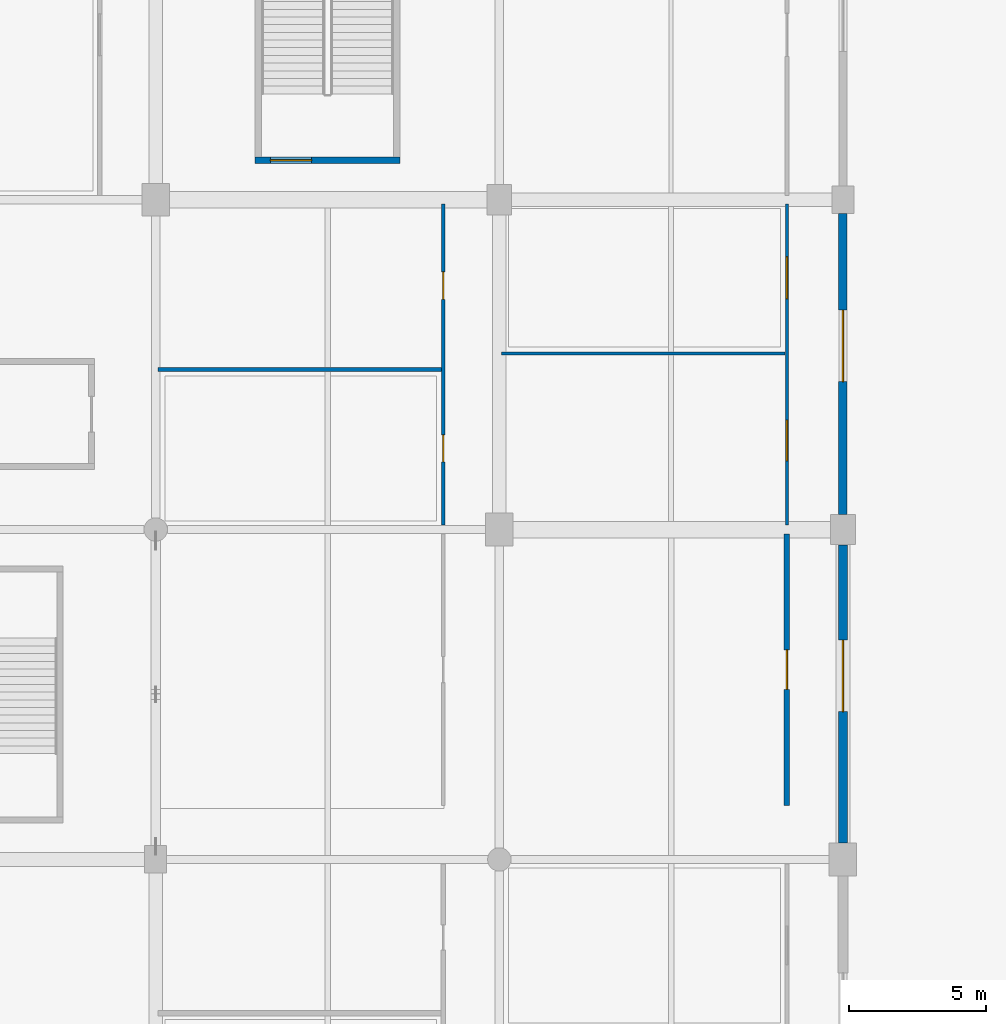
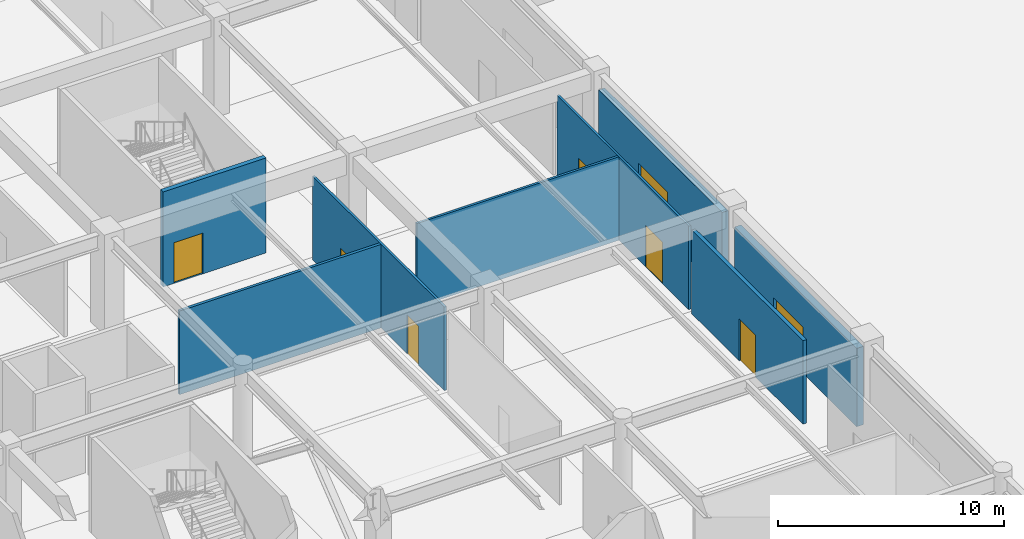
# One storey, part 21 of 69: 8 doors, 8 walls, 8 openings.
"""IFC4 building model written with IfcOpenShell, lengths in metres."""

import ifcopenshell
import ifcopenshell.guid

model = None  # the IFC model being written
_history = None  # IfcOwnerHistory: only IFC2X3 demands one
_inside = {}  # id of a spatial element -> (the spatial element, [elements in it])
_under = {}  # id of a project, library or spatial element -> (it, [spatial elements below it])
_declared = {}  # id of a project -> (the project, [libraries it declares])
_typed = {}  # id of a type object -> (the type object, [elements of that type])
_made_of = {}  # id of a material, layer set ... -> (it, [elements and type objects made of it])


def new_model(schema):
    """Start an empty IFC model of exactly this schema.

    Asked for "IFC4X3", IfcOpenShell would pick the latest addendum, in which some entities
    have other attributes; the version numbers below select the first issue.
    IFC2X3 requires an IfcOwnerHistory on every rooted entity: one is made here for all.
    """
    global model, _history
    if schema == "IFC4X3":
        model = ifcopenshell.file(schema_version=(4, 3, 0, 0))
    else:
        model = ifcopenshell.file(schema=schema)
    _inside.clear()
    _under.clear()
    _declared.clear()
    _typed.clear()
    _made_of.clear()
    _history = None
    if model.schema == "IFC2X3":
        org = make("IfcOrganization", Name="unknown")
        user = make(
            "IfcPersonAndOrganization",
            ThePerson=make("IfcPerson", FamilyName="unknown"),
            TheOrganization=org,
        )
        app = make(
            "IfcApplication",
            ApplicationDeveloper=org,
            Version="unknown",
            ApplicationFullName="unknown",
            ApplicationIdentifier="unknown",
        )
        _history = make(
            "IfcOwnerHistory",
            OwningUser=user,
            OwningApplication=app,
            ChangeAction="ADDED",
            CreationDate=0,
        )
    return model


def make(cls, **values):
    """One entity of the class cls with the attributes given. An attribute that is None is left unset."""
    return model.create_entity(
        cls, **{name: value for name, value in values.items() if value is not None}
    )


def rooted(cls, **values):
    """An entity with a GlobalId (a new one), such as an element, a storey or a relation."""
    return make(cls, GlobalId=ifcopenshell.guid.new(), OwnerHistory=_history, **values)


def si_unit(unit_type, name, prefix=None):
    """IfcSIUnit, for example si_unit("LENGTHUNIT", "METRE", prefix="MILLI")."""
    return make("IfcSIUnit", UnitType=unit_type, Prefix=prefix, Name=name)


def assignment(units):
    """IfcUnitAssignment: the units of a project."""
    return None if units is None else make("IfcUnitAssignment", Units=units)


def point(xyz):
    """IfcCartesianPoint."""
    return None if xyz is None else make("IfcCartesianPoint", Coordinates=xyz)


def direction(xyz):
    """IfcDirection."""
    return None if xyz is None else make("IfcDirection", DirectionRatios=xyz)


def frame(location, z_axis=None, x_axis=None):
    """IfcAxis2Placement3D, a coordinate frame: its origin and axes. An axis left out is left unset."""
    return make(
        "IfcAxis2Placement3D",
        Location=point(location),
        Axis=direction(z_axis),
        RefDirection=direction(x_axis),
    )


def frame_2d(location, x_axis=None):
    """IfcAxis2Placement2D, a coordinate frame in the plane: its origin and x axis."""
    return make(
        "IfcAxis2Placement2D", Location=point(location), RefDirection=direction(x_axis)
    )


def origin():
    """The frame at (0, 0, 0) with its axes left unset."""
    return frame((0.0, 0.0, 0.0))


def place(relative_to, where):
    """IfcLocalPlacement: puts the frame where relative to a parent placement (None: the world)."""
    return make(
        "IfcLocalPlacement", PlacementRelTo=relative_to, RelativePlacement=where
    )


def context(
    kind, dimensions, precision=None, world=None, true_north=None, identifier=None
):
    """IfcGeometricRepresentationContext, for example the 3D "Model" context."""
    return make(
        "IfcGeometricRepresentationContext",
        ContextIdentifier=identifier,
        ContextType=kind,
        CoordinateSpaceDimension=dimensions,
        Precision=precision,
        WorldCoordinateSystem=world,
        TrueNorth=true_north,
    )


def subcontext(parent, identifier, kind, view, scale=None):
    """IfcGeometricRepresentationSubContext, for example "Body" below "Model"."""
    return make(
        "IfcGeometricRepresentationSubContext",
        ContextIdentifier=identifier,
        ContextType=kind,
        ParentContext=parent,
        TargetScale=scale,
        TargetView=view,
    )


def project(units=None, contexts=None):
    """IfcProject with its units and contexts."""
    return rooted(
        "IfcProject",
        Name="project",
        RepresentationContexts=contexts,
        UnitsInContext=assignment(units),
    )


def spatial(cls, under=None, at=None, **own):
    """A site, building, storey or space (cls), placed at a placement, below another one or the project."""
    s = rooted(cls, ObjectPlacement=at, **own)
    if under is not None:
        _under.setdefault(under.id(), (under, []))[1].append(s)
    return s


def profile(cls, at=None, kind="AREA", **sizes):
    """A parametric profile (cls). Its sizes go by their IFC names, for example OverallWidth=200.0."""
    return make(cls, ProfileType=kind, Position=at, **sizes)


def rectangle(**sizes):
    """IfcRectangleProfileDef."""
    return profile("IfcRectangleProfileDef", **sizes)


def extrude(swept, where, along, depth):
    """IfcExtrudedAreaSolid: the profile swept, set in the frame where, extruded along a direction by depth."""
    return make(
        "IfcExtrudedAreaSolid",
        SweptArea=swept,
        Position=where,
        ExtrudedDirection=direction(along),
        Depth=depth,
    )


def shape(context_of_items, identifier, shape_type, items):
    """IfcShapeRepresentation: the items that make up one representation, for example the "Body"."""
    return make(
        "IfcShapeRepresentation",
        ContextOfItems=context_of_items,
        RepresentationIdentifier=identifier,
        RepresentationType=shape_type,
        Items=items,
    )


def material(Name=None, Category=None):
    """IfcMaterial."""
    return make("IfcMaterial", Name=Name, Category=Category)


def layer(
    of_material, thickness, ventilated=None, Name=None, Category=None, Priority=None
):
    """IfcMaterialLayer: one layer of a wall or slab, of a material (None: an air gap)."""
    return make(
        "IfcMaterialLayer",
        Material=of_material,
        LayerThickness=thickness,
        IsVentilated=ventilated,
        Name=Name,
        Category=Category,
        Priority=Priority,
    )


def layer_set(layers, Name=None):
    """IfcMaterialLayerSet."""
    return make("IfcMaterialLayerSet", MaterialLayers=layers, LayerSetName=Name)


def made_of(thing, what):
    """Note that an element or type object is made of a material, layer set ...; save() writes the relation."""
    if what is not None:
        _made_of.setdefault(what.id(), (what, []))[1].append(thing)
    return thing


def type_object(cls, material=None, **own):
    """A type object (cls), such as IfcWallType, which elements share."""
    return made_of(rooted(cls, **own), material)


def element(
    cls,
    number,
    at=None,
    inside=None,
    cuts=None,
    type_object=None,
    material=None,
    context=None,
    identifier="Body",
    shape_type=None,
    held_by="IfcProductDefinitionShape",
    body=None,
    shapes=None,
    **own,
):
    """One element of the class cls, such as IfcWall. Its Tag is "e" and its number.

    at: its placement. inside: the storey or other place that contains it. cuts: it is an
    opening in that element (IfcRelVoidsElement). A single representation is given by context,
    identifier, shape_type and body (its items); several are given by shapes. held_by: the class
    of the entity that holds the representations. save() writes the other relations.
    """
    e = rooted(cls, Tag="e%d" % number, ObjectPlacement=at, **own)
    if body is not None:
        shapes = [shape(context, identifier, shape_type, body)]
    if shapes is not None:
        e.Representation = make(held_by, Representations=shapes)
    if inside is not None:
        _inside.setdefault(inside.id(), (inside, []))[1].append(e)
    if cuts is not None:
        rooted(
            "IfcRelVoidsElement", RelatingBuildingElement=cuts, RelatedOpeningElement=e
        )
    if type_object is not None:
        _typed.setdefault(type_object.id(), (type_object, []))[1].append(e)
    return made_of(e, material)


def fill(opening, filler):
    """IfcRelFillsElement: the door or window that sits in an opening."""
    return rooted(
        "IfcRelFillsElement",
        RelatingOpeningElement=opening,
        RelatedBuildingElement=filler,
    )


def aggregate(whole, parts):
    """IfcRelAggregates: a whole, such as a stair, and the parts it consists of."""
    return rooted("IfcRelAggregates", RelatingObject=whole, RelatedObjects=parts)


def save(model, path):
    """Write the relations noted so far, then the file.

    IfcRelAggregates (storeys below a building ...), IfcRelContainedInSpatialStructure (elements
    in a storey), IfcRelDefinesByType, IfcRelAssociatesMaterial and IfcRelDeclares: one each for
    every whole, place, type object, material and project.
    """
    for whole, parts in _under.values():
        aggregate(whole, parts)
    for where, things in _inside.values():
        rooted(
            "IfcRelContainedInSpatialStructure",
            RelatedElements=things,
            RelatingStructure=where,
        )
    for kind, things in _typed.values():
        rooted("IfcRelDefinesByType", RelatedObjects=things, RelatingType=kind)
    for what, things in _made_of.values():
        rooted("IfcRelAssociatesMaterial", RelatedObjects=things, RelatingMaterial=what)
    for by, libraries in _declared.values():
        rooted("IfcRelDeclares", RelatingContext=by, RelatedDefinitions=libraries)
    model.write(path)


model = new_model("IFC4")

# Units and contexts
model_context = context("Model", 3, precision=1e-05, world=origin(), true_north=direction((0.0, 1.0)))
body_context = subcontext(model_context, "Body", "Model", "MODEL_VIEW")
ifc_project = project(units=[si_unit("LENGTHUNIT", "METRE"), si_unit("AREAUNIT", "SQUARE_METRE"), si_unit("VOLUMEUNIT", "CUBIC_METRE"), si_unit("PLANEANGLEUNIT", "RADIAN"), si_unit("MASSUNIT", "GRAM", prefix="KILO")], contexts=[model_context])

# Site, building, storey
site_placement = place(None, origin())
site = spatial("IfcSite", under=ifc_project, at=site_placement, CompositionType="ELEMENT")
building_placement = place(site_placement, origin())
building = spatial("IfcBuilding", under=site, at=building_placement, Name="Kazenohara Klinker Stadium", CompositionType="ELEMENT")
storey_placement = place(building_placement, origin())
storey = spatial("IfcBuildingStorey", under=building, at=storey_placement, Name="L00", CompositionType="ELEMENT", Elevation=0.0)

# Wall, opening, door
ifc_material_1 = material(Name="Concrete C40/50", Category="concrete")
ifc_layer_1 = layer(ifc_material_1, 0.22998046875)
ifc_layer_set_1 = layer_set([ifc_layer_1], Name="Concrete C40/50")
wall_type_1 = type_object("IfcWallType", Name="WAL-CORE-230", PredefinedType="SHEAR", material=ifc_layer_set_1)
wall_1_placement = place(storey_placement, frame((27.6201171875, 121.43505859375, 0.0), z_axis=(0.0, 0.0, 1.0), x_axis=(1.0, 0.0, 0.0)))
wall_1 = element("IfcWall", 1, at=wall_1_placement, inside=storey, type_object=wall_type_1, Name="Stairwell shear wall ST18 L00 South", PredefinedType="SHEAR", context=body_context, shape_type="SweptSolid", body=[
    extrude(rectangle(XDim=5.259765625, YDim=0.22998046875, at=frame_2d((2.6298828125, 0.0))), origin(), (0.0, 0.0, 1.0), 5.139892578125),
])
opening_1_placement = place(wall_1_placement, frame((0.550048828125, 0.0, 0.0)))
opening_1 = element("IfcOpeningElement", 2, at=opening_1_placement, cuts=wall_1, Name="Opening SD02", PredefinedType="OPENING", context=body_context, shape_type="SweptSolid", body=[
    extrude(rectangle(XDim=1.5, YDim=2.199951171875, at=frame_2d((0.75, 1.10009765625))), frame((0.0, 0.125, 0.0), z_axis=(0.0, -1.0, 0.0), x_axis=(1.0, 0.0, 0.0)), (0.0, 0.0, 1.0), 0.25),
])
ifc_material_2 = material(Name="Flush painted steel fire door leaf", Category="steel")
door_type_1 = type_object("IfcDoorType", Name="DR-STR-1500x2200", OperationType="NOTDEFINED", PredefinedType="DOOR", material=ifc_material_2)
door_1_placement = place(opening_1_placement, origin())
door_1 = element("IfcDoor", 3, at=door_1_placement, inside=storey, type_object=door_type_1, Name="Escape stairwell fire door ST18-L00", OperationType="SINGLE_SWING_RIGHT", OverallHeight=2.199951171875, OverallWidth=1.5, PredefinedType="DOOR", context=body_context, shape_type="SweptSolid", body=[
    extrude(rectangle(XDim=1.5, YDim=2.199951171875, at=frame_2d((0.75, 1.10009765625))), frame((0.0, 0.02490234375, 0.0), z_axis=(0.0, -1.0, 0.0), x_axis=(1.0, 0.0, 0.0)), (0.0, 0.0, 1.0), 0.050048828125),
])
fill(opening_1, door_1)

ifc_material_3 = material(Name="Clinker brick masonry", Category="masonry")
ifc_layer_2 = layer(ifc_material_3, 0.31005859375)
ifc_layer_set_2 = layer_set([ifc_layer_2], Name="Clinker brick masonry")
wall_type_2 = type_object("IfcWallType", Name="WAL-EXT-CB310", PredefinedType="SOLIDWALL", material=ifc_layer_set_2)
wall_2_placement = place(storey_placement, frame((49.0, 108.553955078125, 0.0), z_axis=(0.0, 0.0, 1.0), x_axis=(0.0, 1.0, 0.0)))
wall_2 = element("IfcWall", 4, at=wall_2_placement, inside=storey, type_object=wall_type_2, Name="Clinker brick cavity wall EW05 L00 Y4-9", PredefinedType="SOLIDWALL", context=body_context, shape_type="SweptSolid", body=[
    extrude(rectangle(XDim=10.942138671875, YDim=0.31005859375, at=frame_2d((5.47119140625, 0.0))), origin(), (0.0, 0.0, 1.0), 4.340087890625),
])
opening_2_placement = place(wall_2_placement, frame((7.427490234375, 0.0, 0.0), z_axis=(0.0, 0.0, 1.0), x_axis=(-1.0, 0.0, 0.0)))
opening_2 = element("IfcOpeningElement", 5, at=opening_2_placement, cuts=wall_2, Name="Opening VP07", PredefinedType="OPENING", context=body_context, shape_type="SweptSolid", body=[
    extrude(rectangle(XDim=2.60009765625, YDim=2.5, at=frame_2d((1.300048828125, 1.25))), frame((0.0, 0.1650390625, 0.0), z_axis=(0.0, -1.0, 0.0), x_axis=(1.0, 0.0, 0.0)), (0.0, 0.0, 1.0), 0.330078125),
])
ifc_material_4 = material(Name="Anodised aluminium acoustic portal leaf", Category="aluminium")
door_type_2 = type_object("IfcDoorType", Name="DR-VOM-2600x2500", OperationType="NOTDEFINED", PredefinedType="DOOR", material=ifc_material_4)
door_2_placement = place(opening_2_placement, origin())
door_2 = element("IfcDoor", 6, at=door_2_placement, inside=storey, type_object=door_type_2, Name="Lower bowl vomitory portal door VP07", OperationType="DOUBLE_DOOR_SINGLE_SWING", OverallHeight=2.5, OverallWidth=2.60009765625, PredefinedType="DOOR", context=body_context, shape_type="SweptSolid", body=[
    extrude(rectangle(XDim=2.60009765625, YDim=2.5, at=frame_2d((1.300048828125, 1.25))), frame((0.0, 0.02490234375, 0.0), z_axis=(0.0, -1.0, 0.0), x_axis=(1.0, 0.0, 0.0)), (0.0, 0.0, 1.0), 0.050048828125),
])
fill(opening_2, door_2)

ifc_layer_3 = layer(ifc_material_3, 0.340087890625)
ifc_layer_set_3 = layer_set([ifc_layer_3], Name="Clinker brick masonry")
wall_type_3 = type_object("IfcWallType", Name="WAL-EXT-CB340", PredefinedType="SOLIDWALL", material=ifc_layer_set_3)
wall_3_placement = place(storey_placement, frame((49.0, 96.60400390625, 0.0), z_axis=(0.0, 0.0, 1.0), x_axis=(0.0, 1.0, 0.0)))
wall_3 = element("IfcWall", 7, at=wall_3_placement, inside=storey, type_object=wall_type_3, Name="Clinker brick cavity wall EW04 L00 Y4-8", PredefinedType="SOLIDWALL", context=body_context, shape_type="SweptSolid", body=[
    extrude(rectangle(XDim=10.842041015625, YDim=0.340087890625, at=frame_2d((5.4208984375, 0.0))), origin(), (0.0, 0.0, 1.0), 4.239990234375),
])
opening_3_placement = place(wall_3_placement, frame((7.37158203125, 0.0, 0.0), z_axis=(0.0, 0.0, 1.0), x_axis=(-1.0, 0.0, 0.0)))
opening_3 = element("IfcOpeningElement", 8, at=opening_3_placement, cuts=wall_3, Name="Opening VP06", PredefinedType="OPENING", context=body_context, shape_type="SweptSolid", body=[
    extrude(rectangle(XDim=2.60009765625, YDim=2.5, at=frame_2d((1.300048828125, 1.25))), frame((0.0, 0.18017578125, 0.0), z_axis=(0.0, -1.0, 0.0), x_axis=(1.0, 0.0, 0.0)), (0.0, 0.0, 1.0), 0.360107421875),
])
door_3_placement = place(opening_3_placement, origin())
door_3 = element("IfcDoor", 9, at=door_3_placement, inside=storey, type_object=door_type_2, Name="Lower bowl vomitory portal door VP06", OperationType="DOUBLE_DOOR_SINGLE_SWING", OverallHeight=2.5, OverallWidth=2.60009765625, PredefinedType="DOOR", context=body_context, shape_type="SweptSolid", body=[
    extrude(rectangle(XDim=2.60009765625, YDim=2.5, at=frame_2d((1.300048828125, 1.25))), frame((0.0, 0.02490234375, 0.0), z_axis=(0.0, -1.0, 0.0), x_axis=(1.0, 0.0, 0.0)), (0.0, 0.0, 1.0), 0.050048828125),
])
fill(opening_3, door_3)

# Wall, openings, doors
ifc_material_5 = material(Name="Fire-rated gypsum board on acoustic studs", Category="gypsum")
ifc_layer_4 = layer(ifc_material_5, 0.110107421875)
ifc_layer_set_4 = layer_set([ifc_layer_4], Name="Fire-rated gypsum board on acoustic studs")
wall_type_4 = type_object("IfcWallType", Name="WAL-INT-P110", PredefinedType="PARTITIONING", material=ifc_layer_set_4)
wall_4_placement = place(storey_placement, frame((46.9599609375, 108.159912109375, 0.0), z_axis=(0.0, 0.0, 1.0), x_axis=(0.0, 1.0, 0.0)))
wall_4 = element("IfcWall", 10, at=wall_4_placement, inside=storey, type_object=wall_type_4, Name="Interior partition wall PT01 SPC-L00-03-09-1-1", PredefinedType="PARTITIONING", context=body_context, shape_type="SweptSolid", body=[
    extrude(rectangle(XDim=11.68017578125, YDim=0.110107421875, at=frame_2d((5.840087890625, 0.0))), origin(), (0.0, 0.0, 1.0), 4.52001953125),
])
opening_4_placement = place(wall_4_placement, frame((2.344482421875, 0.0, 0.0)))
opening_4 = element("IfcOpeningElement", 11, at=opening_4_placement, cuts=wall_4, Name="Opening ID20", PredefinedType="OPENING", context=body_context, shape_type="SweptSolid", body=[
    extrude(rectangle(XDim=1.47998046875, YDim=2.239990234375, at=frame_2d((0.739990234375, 1.1201171875))), frame((0.0, 0.06494140625, 0.0), z_axis=(0.0, -1.0, 0.0), x_axis=(1.0, 0.0, 0.0)), (0.0, 0.0, 1.0), 0.130126953125),
])
opening_5_placement = place(wall_4_placement, frame((8.244384765625, 0.0, 0.0)))
opening_5 = element("IfcOpeningElement", 12, at=opening_5_placement, cuts=wall_4, Name="Opening ID21", PredefinedType="OPENING", context=body_context, shape_type="SweptSolid", body=[
    extrude(rectangle(XDim=1.52001953125, YDim=2.280029296875, at=frame_2d((0.760009765625, 1.14013671875))), frame((0.0, 0.06494140625, 0.0), z_axis=(0.0, -1.0, 0.0), x_axis=(1.0, 0.0, 0.0)), (0.0, 0.0, 1.0), 0.130126953125),
])
ifc_material_6 = material(Name="Painted steel plant fire door", Category="steel")
door_type_3 = type_object("IfcDoorType", Name="DR-INT-20", OperationType="NOTDEFINED", PredefinedType="DOOR", material=ifc_material_6)
door_4_placement = place(opening_4_placement, origin())
door_4 = element("IfcDoor", 13, at=door_4_placement, inside=storey, type_object=door_type_3, Name="Interior door ID20 Supporter Merchandising Retail Shop L00-0309A", OperationType="SINGLE_SWING_LEFT", OverallHeight=2.239990234375, OverallWidth=1.47998046875, PredefinedType="DOOR", context=body_context, shape_type="SweptSolid", body=[
    extrude(rectangle(XDim=1.47998046875, YDim=2.239990234375, at=frame_2d((0.739990234375, 1.1201171875))), frame((0.0, 0.02490234375, 0.0), z_axis=(0.0, -1.0, 0.0), x_axis=(1.0, 0.0, 0.0)), (0.0, 0.0, 1.0), 0.050048828125),
])
fill(opening_4, door_4)
door_type_4 = type_object("IfcDoorType", Name="DR-INT-21", OperationType="NOTDEFINED", PredefinedType="DOOR", material=ifc_material_6)
door_5_placement = place(opening_5_placement, origin())
door_5 = element("IfcDoor", 14, at=door_5_placement, inside=storey, type_object=door_type_4, Name="Interior door ID21 Concourse Craft Beverage Tavern L00-0309B", OperationType="SINGLE_SWING_RIGHT", OverallHeight=2.280029296875, OverallWidth=1.52001953125, PredefinedType="DOOR", context=body_context, shape_type="SweptSolid", body=[
    extrude(rectangle(XDim=1.52001953125, YDim=2.280029296875, at=frame_2d((0.760009765625, 1.14013671875))), frame((0.0, 0.02490234375, 0.0), z_axis=(0.0, -1.0, 0.0), x_axis=(1.0, 0.0, 0.0)), (0.0, 0.0, 1.0), 0.050048828125),
])
fill(opening_5, door_5)

ifc_layer_5 = layer(ifc_material_5, 0.1201171875)
ifc_layer_set_5 = layer_set([ifc_layer_5], Name="Fire-rated gypsum board on acoustic studs")
wall_type_5 = type_object("IfcWallType", Name="WAL-INT-P120", PredefinedType="PARTITIONING", material=ifc_layer_set_5)
wall_5_placement = place(storey_placement, frame((34.4599609375, 108.159912109375, 0.0), z_axis=(0.0, 0.0, 1.0), x_axis=(0.0, 1.0, 0.0)))
wall_5 = element("IfcWall", 15, at=wall_5_placement, inside=storey, type_object=wall_type_5, Name="Interior partition wall PT02 SPC-L00-02-09-1-1", PredefinedType="PARTITIONING", context=body_context, shape_type="SweptSolid", body=[
    extrude(rectangle(XDim=11.68017578125, YDim=0.1201171875, at=frame_2d((5.840087890625, 0.0))), origin(), (0.0, 0.0, 1.0), 4.52001953125),
])
opening_6_placement = place(wall_5_placement, frame((2.302490234375, 0.0, 0.0)))
opening_6 = element("IfcOpeningElement", 16, at=opening_6_placement, cuts=wall_5, Name="Opening ID04", PredefinedType="OPENING", context=body_context, shape_type="SweptSolid", body=[
    extrude(rectangle(XDim=0.97998046875, YDim=2.10009765625, at=frame_2d((0.489990234375, 1.050048828125))), frame((0.0, 0.070068359375, 0.0), z_axis=(0.0, -1.0, 0.0), x_axis=(1.0, 0.0, 0.0)), (0.0, 0.0, 1.0), 0.14013671875),
])
opening_7_placement = place(wall_5_placement, frame((8.21240234375, 0.0, 0.0)))
opening_7 = element("IfcOpeningElement", 17, at=opening_7_placement, cuts=wall_5, Name="Opening ID05", PredefinedType="OPENING", context=body_context, shape_type="SweptSolid", body=[
    extrude(rectangle(XDim=1.0, YDim=2.139892578125, at=frame_2d((0.5, 1.06982421875))), frame((0.0, 0.070068359375, 0.0), z_axis=(0.0, -1.0, 0.0), x_axis=(1.0, 0.0, 0.0)), (0.0, 0.0, 1.0), 0.14013671875),
])
ifc_material_7 = material(Name="Solid-core Hokkaido oak fire door", Category="wood")
door_type_5 = type_object("IfcDoorType", Name="DR-INT-04", OperationType="NOTDEFINED", PredefinedType="DOOR", material=ifc_material_7)
door_6_placement = place(opening_6_placement, origin())
door_6 = element("IfcDoor", 18, at=door_6_placement, inside=storey, type_object=door_type_5, Name="Interior door ID04 Civic Stadium Heritage Museum Exhibition Gallery L00-0209A", OperationType="SINGLE_SWING_LEFT", OverallHeight=2.10009765625, OverallWidth=0.97998046875, PredefinedType="DOOR", context=body_context, shape_type="SweptSolid", body=[
    extrude(rectangle(XDim=0.97998046875, YDim=2.10009765625, at=frame_2d((0.489990234375, 1.050048828125))), frame((0.0, 0.02490234375, 0.0), z_axis=(0.0, -1.0, 0.0), x_axis=(1.0, 0.0, 0.0)), (0.0, 0.0, 1.0), 0.050048828125),
])
fill(opening_6, door_6)
door_type_6 = type_object("IfcDoorType", Name="DR-INT-05", OperationType="NOTDEFINED", PredefinedType="DOOR", material=ifc_material_7)
door_7_placement = place(opening_7_placement, origin())
door_7 = element("IfcDoor", 19, at=door_7_placement, inside=storey, type_object=door_type_6, Name="Interior door ID05 Street-Front Bakery and Cafe Restaurant L00-0209B", OperationType="SINGLE_SWING_RIGHT", OverallHeight=2.139892578125, OverallWidth=1.0, PredefinedType="DOOR", context=body_context, shape_type="SweptSolid", body=[
    extrude(rectangle(XDim=1.0, YDim=2.139892578125, at=frame_2d((0.5, 1.06982421875))), frame((0.0, 0.02490234375, 0.0), z_axis=(0.0, -1.0, 0.0), x_axis=(1.0, 0.0, 0.0)), (0.0, 0.0, 1.0), 0.050048828125),
])
fill(opening_7, door_7)

# Walls
wall_6_placement = place(storey_placement, frame((36.580078125, 114.40869140625, 0.0), z_axis=(0.0, 0.0, 1.0), x_axis=(1.0, 0.0, 0.0)))
element("IfcWall", 20, at=wall_6_placement, inside=storey, type_object=wall_type_5, Name="Interior partition wall PT02 SPC-L00-03-09-1-2", PredefinedType="PARTITIONING", context=body_context, shape_type="SweptSolid", body=[
    extrude(rectangle(XDim=10.31982421875, YDim=0.1201171875, at=frame_2d((5.159912109375, 0.0))), origin(), (0.0, 0.0, 1.0), 4.52001953125),
])
ifc_layer_6 = layer(ifc_material_5, 0.139892578125)
ifc_layer_set_6 = layer_set([ifc_layer_6], Name="Fire-rated gypsum board on acoustic studs")
wall_type_6 = type_object("IfcWallType", Name="WAL-INT-P140", PredefinedType="PARTITIONING", material=ifc_layer_set_6)
wall_7_placement = place(storey_placement, frame((24.080078125, 113.82470703125, 0.0), z_axis=(0.0, 0.0, 1.0), x_axis=(1.0, 0.0, 0.0)))
element("IfcWall", 21, at=wall_7_placement, inside=storey, type_object=wall_type_6, Name="Interior partition wall PT03 SPC-L00-02-09-1-2", PredefinedType="PARTITIONING", context=body_context, shape_type="SweptSolid", body=[
    extrude(rectangle(XDim=10.31494140625, YDim=0.139892578125, at=frame_2d((5.157470703125, 0.0))), origin(), (0.0, 0.0, 1.0), 4.52001953125),
])

# Wall, opening, door
ifc_layer_7 = layer(ifc_material_5, 0.18994140625)
ifc_layer_set_7 = layer_set([ifc_layer_7], Name="Fire-rated gypsum board on acoustic studs")
wall_type_7 = type_object("IfcWallType", Name="WAL-INT-P190", PredefinedType="PARTITIONING", material=ifc_layer_set_7)
wall_8_placement = place(storey_placement, frame((46.9599609375, 97.969970703125, 0.0), z_axis=(0.0, 0.0, 1.0), x_axis=(0.0, 1.0, 0.0)))
wall_8 = element("IfcWall", 22, at=wall_8_placement, inside=storey, type_object=wall_type_7, Name="Interior partition wall PT06 SPC-L00-03-08-1-1", PredefinedType="PARTITIONING", context=body_context, shape_type="SweptSolid", body=[
    extrude(rectangle(XDim=9.8701171875, YDim=0.18994140625, at=frame_2d((4.93505859375, 0.0))), origin(), (0.0, 0.0, 1.0), 4.52001953125),
])
opening_8_placement = place(wall_8_placement, frame((4.215087890625, 0.0, 0.0)))
opening_8 = element("IfcOpeningElement", 23, at=opening_8_placement, cuts=wall_8, Name="Opening ID19", PredefinedType="OPENING", context=body_context, shape_type="SweptSolid", body=[
    extrude(rectangle(XDim=1.43994140625, YDim=2.260009765625, at=frame_2d((0.719970703125, 1.1298828125))), frame((0.0, 0.10498046875, 0.0), z_axis=(0.0, -1.0, 0.0), x_axis=(1.0, 0.0, 0.0)), (0.0, 0.0, 1.0), 0.2099609375),
])
door_type_7 = type_object("IfcDoorType", Name="DR-INT-19", OperationType="NOTDEFINED", PredefinedType="DOOR", material=ifc_material_6)
door_8_placement = place(opening_8_placement, origin())
door_8 = element("IfcDoor", 24, at=door_8_placement, inside=storey, type_object=door_type_7, Name="Interior door ID19 Civic Stadium Heritage Museum Exhibition Gallery L00-0308A", OperationType="SINGLE_SWING_RIGHT", OverallHeight=2.260009765625, OverallWidth=1.43994140625, PredefinedType="DOOR", context=body_context, shape_type="SweptSolid", body=[
    extrude(rectangle(XDim=1.43994140625, YDim=2.260009765625, at=frame_2d((0.719970703125, 1.1298828125))), frame((0.0, 0.02490234375, 0.0), z_axis=(0.0, -1.0, 0.0), x_axis=(1.0, 0.0, 0.0)), (0.0, 0.0, 1.0), 0.050048828125),
])
fill(opening_8, door_8)

save(model, "model.ifc")
